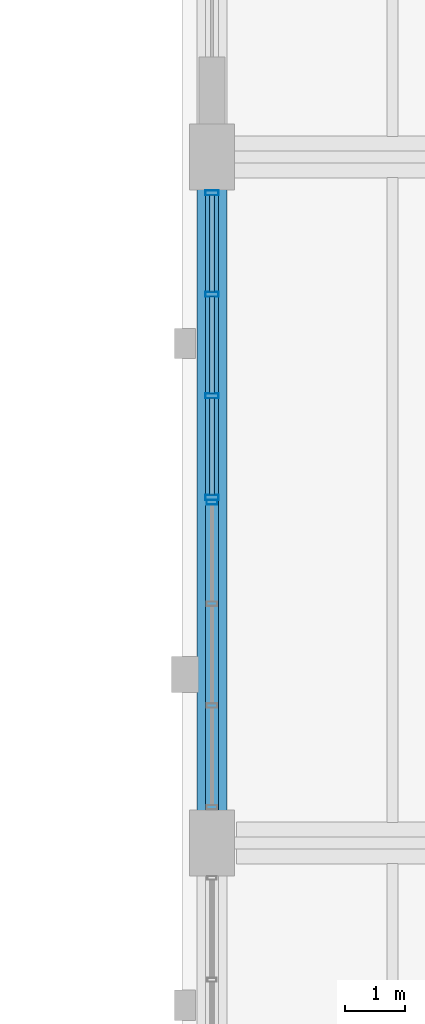
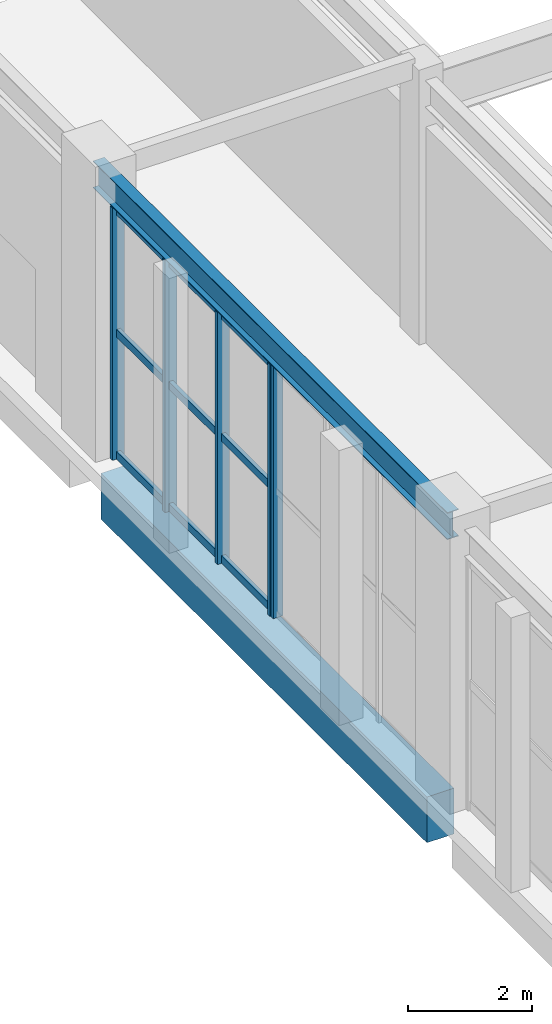
# One storey, part 55 of 113: 14 members, 2 beams, 2 elements without a shape of their own.
"""IFC4 building model written with IfcOpenShell, lengths in metres."""

from ifc_helpers import new_model, si_unit, direction, frame, origin, origin_2d, place, context, subcontext, project, spatial, rectangle, hollow_rectangle, i_section, extrude, material, layer, layer_set, material_profile, profile_set, type_object, element, aggregate, save


model = new_model("IFC4")

# Units and contexts
model_context = context("Model", 3, precision=1e-05, world=origin(), true_north=direction((0.0, 1.0)))
body_context = subcontext(model_context, "Body", "Model", "MODEL_VIEW")
ifc_project = project(units=[si_unit("LENGTHUNIT", "METRE"), si_unit("AREAUNIT", "SQUARE_METRE"), si_unit("VOLUMEUNIT", "CUBIC_METRE"), si_unit("PLANEANGLEUNIT", "RADIAN"), si_unit("MASSUNIT", "GRAM", prefix="KILO"), si_unit("POWERUNIT", "WATT"), si_unit("THERMODYNAMICTEMPERATUREUNIT", "KELVIN")], contexts=[model_context])

# Site, building, storey
site_placement = place(None, origin())
site = spatial("IfcSite", under=ifc_project, at=site_placement, CompositionType="ELEMENT")
building_placement = place(site_placement, origin())
building = spatial("IfcBuilding", under=site, at=building_placement, Name="Kelmbourne Parkland Aquatics Centre", CompositionType="ELEMENT")
storey_placement = place(building_placement, origin())
storey = spatial("IfcBuildingStorey", under=building, at=storey_placement, Name="L00", CompositionType="ELEMENT", Elevation=0.0)

# Beams
ifc_material_1 = material(Name="Concrete C40/50", Category="concrete")
ifc_material_profile_1 = material_profile(ifc_material_1, rectangle(XDim=0.5, YDim=0.89990234375, at=origin_2d()), Name="RC 500x900")
ifc_profile_set_1 = profile_set([ifc_material_profile_1], Name="Concrete C40/50")
beam_type_1 = type_object("IfcBeamType", Name="BM-G03", PredefinedType="BEAM", material=ifc_profile_set_1)
beam_1_placement = place(storey_placement, frame((96.0, 69.60498046875, -0.72998046875), z_axis=(0.0, 1.0, 0.0), x_axis=(-1.0, 0.0, 0.0)))
element("IfcBeam", 1, at=beam_1_placement, inside=storey, type_object=beam_type_1, Name="Primary girder 10-11 Grid L (L00)", PredefinedType="BEAM", context=body_context, shape_type="SweptSolid", body=[
    extrude(rectangle(XDim=0.5, YDim=0.89990234375, at=origin_2d()), origin(), (0.0, 0.0, 1.0), 10.489990234375),
])
ifc_material_2 = material(Name="Structural steel AS/NZS 3679.1 Grade 300", Category="steel")
ifc_material_profile_2 = material_profile(ifc_material_2, i_section(OverallWidth=0.208984375, OverallDepth=0.532958984375, WebThickness=0.01025390625, FlangeThickness=0.015625, at=origin_2d()), Name="530UB92.4")
ifc_profile_set_2 = profile_set([ifc_material_profile_2], Name="Structural steel AS/NZS 3679.1 Grade 300")
beam_type_2 = type_object("IfcBeamType", Name="BM-SP02", PredefinedType="SPANDREL", material=ifc_profile_set_2)
beam_2_placement = place(storey_placement, frame((96.0, 69.199951171875, 5.2333984375), z_axis=(0.0, 1.0, 0.0), x_axis=(-1.0, 0.0, 0.0)))
element("IfcBeam", 2, at=beam_2_placement, inside=storey, type_object=beam_type_2, Name="Perimeter spandrel 10-11 Grid L (L01_COL)", PredefinedType="SPANDREL", context=body_context, shape_type="SweptSolid", body=[
    extrude(i_section(OverallWidth=0.208984375, OverallDepth=0.532958984375, WebThickness=0.01025390625, FlangeThickness=0.015625, at=origin_2d()), origin(), (0.0, 0.0, 1.0), 11.400146484375),
])

# Curtain wall, member
ifc_material_3 = material(Name="Thermally broken anodised aluminium framing", Category="aluminium")
ifc_layer_1 = layer(ifc_material_3, 0.179931640625)
ifc_layer_set_1 = layer_set([ifc_layer_1], Name="Thermally broken anodised aluminium framing")
curtain_wall_type_1 = type_object("IfcCurtainWallType", Name="CW-18", PredefinedType="NOTDEFINED", material=ifc_layer_set_1)
curtain_wall_1_placement = place(storey_placement, origin())
curtain_wall_1 = element("IfcCurtainWall", 3, at=curtain_wall_1_placement, inside=storey, type_object=curtain_wall_type_1, Name="Facade curtain wall CW-L00-186", PredefinedType="NOTDEFINED")
ifc_material_profile_3 = material_profile(ifc_material_3, hollow_rectangle(XDim=0.074951171875, YDim=0.179931640625, WallThickness=0.00439453125, at=origin_2d()), Name="CW-M 75x180")
ifc_profile_set_3 = profile_set([ifc_material_profile_3], Name="Thermally broken anodised aluminium framing")
member_type_1 = type_object("IfcMemberType", Name="MB-MUL-2", PredefinedType="MULLION", material=ifc_profile_set_3)
member_1_placement = place(storey_placement, frame((96.0, 74.862548828125, 0.0), z_axis=(0.0, 0.0, 1.0), x_axis=(0.0, 1.0, 0.0)))
member_1 = element("IfcMember", 4, at=member_1_placement, type_object=member_type_1, Name="CW-L00-186 mullion 3", PredefinedType="MULLION", context=body_context, shape_type="SweptSolid", body=[
    extrude(hollow_rectangle(XDim=0.074951171875, YDim=0.179931640625, WallThickness=0.00439453125, at=origin_2d()), origin(), (0.0, 0.0, 1.0), 4.951904296875),
])
aggregate(curtain_wall_1, [member_1])

# Curtain wall, members
ifc_layer_2 = layer(ifc_material_3, 0.179931640625)
ifc_layer_set_2 = layer_set([ifc_layer_2], Name="Thermally broken anodised aluminium framing")
curtain_wall_type_2 = type_object("IfcCurtainWallType", Name="CW-19", PredefinedType="NOTDEFINED", material=ifc_layer_set_2)
curtain_wall_2_placement = place(storey_placement, origin())
curtain_wall_2 = element("IfcCurtainWall", 5, at=curtain_wall_2_placement, inside=storey, type_object=curtain_wall_type_2, Name="Facade curtain wall CW-L00-187", PredefinedType="NOTDEFINED")
ifc_material_profile_4 = material_profile(ifc_material_3, hollow_rectangle(XDim=0.0849609375, YDim=0.219970703125, WallThickness=0.0048828125, at=origin_2d()), Name="CW-M 85x220")
ifc_profile_set_4 = profile_set([ifc_material_profile_4], Name="Thermally broken anodised aluminium framing")
member_type_2 = type_object("IfcMemberType", Name="MB-MUL-3", PredefinedType="MULLION", material=ifc_profile_set_4)
member_2_placement = place(storey_placement, frame((96.0, 74.9423828125, 0.0), z_axis=(0.0, 0.0, 1.0), x_axis=(0.0, 1.0, 0.0)))
member_2 = element("IfcMember", 6, at=member_2_placement, type_object=member_type_2, Name="CW-L00-187 mullion 0", PredefinedType="MULLION", context=body_context, shape_type="SweptSolid", body=[
    extrude(hollow_rectangle(XDim=0.0849609375, YDim=0.219970703125, WallThickness=0.0048828125, at=origin_2d()), origin(), (0.0, 0.0, 1.0), 4.951904296875),
])
member_3_placement = place(storey_placement, frame((96.0, 76.630126953125, 0.0), z_axis=(0.0, 0.0, 1.0), x_axis=(0.0, 1.0, 0.0)))
member_3 = element("IfcMember", 7, at=member_3_placement, type_object=member_type_2, Name="CW-L00-187 mullion 1", PredefinedType="MULLION", context=body_context, shape_type="SweptSolid", body=[
    extrude(hollow_rectangle(XDim=0.0849609375, YDim=0.219970703125, WallThickness=0.0048828125, at=origin_2d()), origin(), (0.0, 0.0, 1.0), 4.951904296875),
])
member_4_placement = place(storey_placement, frame((96.0, 78.31787109375, 0.0), z_axis=(0.0, 0.0, 1.0), x_axis=(0.0, 1.0, 0.0)))
member_4 = element("IfcMember", 8, at=member_4_placement, type_object=member_type_2, Name="CW-L00-187 mullion 2", PredefinedType="MULLION", context=body_context, shape_type="SweptSolid", body=[
    extrude(hollow_rectangle(XDim=0.0849609375, YDim=0.219970703125, WallThickness=0.0048828125, at=origin_2d()), origin(), (0.0, 0.0, 1.0), 4.951904296875),
])
member_5_placement = place(storey_placement, frame((96.0, 80.005615234375, 0.0), z_axis=(0.0, 0.0, 1.0), x_axis=(0.0, 1.0, 0.0)))
member_5 = element("IfcMember", 9, at=member_5_placement, type_object=member_type_2, Name="CW-L00-187 mullion 3", PredefinedType="MULLION", context=body_context, shape_type="SweptSolid", body=[
    extrude(hollow_rectangle(XDim=0.0849609375, YDim=0.219970703125, WallThickness=0.0048828125, at=origin_2d()), origin(), (0.0, 0.0, 1.0), 4.951904296875),
])
ifc_material_profile_5 = material_profile(ifc_material_3, hollow_rectangle(XDim=0.074951171875, YDim=0.14990234375, WallThickness=0.00390625, at=origin_2d()), Name="CW-T 75x150")
ifc_profile_set_5 = profile_set([ifc_material_profile_5], Name="Thermally broken anodised aluminium framing")
member_type_3 = type_object("IfcMemberType", Name="MB-TRN-2", PredefinedType="USERDEFINED", material=ifc_profile_set_5)
member_6_placement = place(storey_placement, frame((96.0, 74.98095703125, 0.077880859375), z_axis=(0.0, 1.0, 0.0), x_axis=(-1.0, 0.0, 0.0)))
member_6 = element("IfcMember", 10, at=member_6_placement, type_object=member_type_3, Name="CW-L00-187 transom 0-0", ObjectType="TRANSOM", PredefinedType="USERDEFINED", context=body_context, shape_type="SweptSolid", body=[
    extrude(hollow_rectangle(XDim=0.074951171875, YDim=0.14990234375, WallThickness=0.00390625, at=origin_2d()), origin(), (0.0, 0.0, 1.0), 1.61083984375),
])
member_7_placement = place(storey_placement, frame((96.0, 76.668701171875, 0.077880859375), z_axis=(0.0, 1.0, 0.0), x_axis=(-1.0, 0.0, 0.0)))
member_7 = element("IfcMember", 11, at=member_7_placement, type_object=member_type_3, Name="CW-L00-187 transom 0-1", ObjectType="TRANSOM", PredefinedType="USERDEFINED", context=body_context, shape_type="SweptSolid", body=[
    extrude(hollow_rectangle(XDim=0.074951171875, YDim=0.14990234375, WallThickness=0.00390625, at=origin_2d()), origin(), (0.0, 0.0, 1.0), 1.610595703125),
])
member_8_placement = place(storey_placement, frame((96.0, 78.356201171875, 0.077880859375), z_axis=(0.0, 1.0, 0.0), x_axis=(-1.0, 0.0, 0.0)))
member_8 = element("IfcMember", 12, at=member_8_placement, type_object=member_type_3, Name="CW-L00-187 transom 0-2", ObjectType="TRANSOM", PredefinedType="USERDEFINED", context=body_context, shape_type="SweptSolid", body=[
    extrude(hollow_rectangle(XDim=0.074951171875, YDim=0.14990234375, WallThickness=0.00390625, at=origin_2d()), origin(), (0.0, 0.0, 1.0), 1.61083984375),
])
member_9_placement = place(storey_placement, frame((96.0, 74.98095703125, 2.47607421875), z_axis=(0.0, 1.0, 0.0), x_axis=(-1.0, 0.0, 0.0)))
member_9 = element("IfcMember", 13, at=member_9_placement, type_object=member_type_3, Name="CW-L00-187 transom 1-0", ObjectType="TRANSOM", PredefinedType="USERDEFINED", context=body_context, shape_type="SweptSolid", body=[
    extrude(hollow_rectangle(XDim=0.074951171875, YDim=0.14990234375, WallThickness=0.00390625, at=origin_2d()), origin(), (0.0, 0.0, 1.0), 1.61083984375),
])
member_10_placement = place(storey_placement, frame((96.0, 76.668701171875, 2.47607421875), z_axis=(0.0, 1.0, 0.0), x_axis=(-1.0, 0.0, 0.0)))
member_10 = element("IfcMember", 14, at=member_10_placement, type_object=member_type_3, Name="CW-L00-187 transom 1-1", ObjectType="TRANSOM", PredefinedType="USERDEFINED", context=body_context, shape_type="SweptSolid", body=[
    extrude(hollow_rectangle(XDim=0.074951171875, YDim=0.14990234375, WallThickness=0.00390625, at=origin_2d()), origin(), (0.0, 0.0, 1.0), 1.610595703125),
])
member_11_placement = place(storey_placement, frame((96.0, 78.356201171875, 2.47607421875), z_axis=(0.0, 1.0, 0.0), x_axis=(-1.0, 0.0, 0.0)))
member_11 = element("IfcMember", 15, at=member_11_placement, type_object=member_type_3, Name="CW-L00-187 transom 1-2", ObjectType="TRANSOM", PredefinedType="USERDEFINED", context=body_context, shape_type="SweptSolid", body=[
    extrude(hollow_rectangle(XDim=0.074951171875, YDim=0.14990234375, WallThickness=0.00390625, at=origin_2d()), origin(), (0.0, 0.0, 1.0), 1.61083984375),
])
member_12_placement = place(storey_placement, frame((96.0, 74.98095703125, 4.8740234375), z_axis=(0.0, 1.0, 0.0), x_axis=(-1.0, 0.0, 0.0)))
member_12 = element("IfcMember", 16, at=member_12_placement, type_object=member_type_3, Name="CW-L00-187 transom 2-0", ObjectType="TRANSOM", PredefinedType="USERDEFINED", context=body_context, shape_type="SweptSolid", body=[
    extrude(hollow_rectangle(XDim=0.074951171875, YDim=0.14990234375, WallThickness=0.00390625, at=origin_2d()), origin(), (0.0, 0.0, 1.0), 1.61083984375),
])
member_13_placement = place(storey_placement, frame((96.0, 76.668701171875, 4.8740234375), z_axis=(0.0, 1.0, 0.0), x_axis=(-1.0, 0.0, 0.0)))
member_13 = element("IfcMember", 17, at=member_13_placement, type_object=member_type_3, Name="CW-L00-187 transom 2-1", ObjectType="TRANSOM", PredefinedType="USERDEFINED", context=body_context, shape_type="SweptSolid", body=[
    extrude(hollow_rectangle(XDim=0.074951171875, YDim=0.14990234375, WallThickness=0.00390625, at=origin_2d()), origin(), (0.0, 0.0, 1.0), 1.610595703125),
])
member_14_placement = place(storey_placement, frame((96.0, 78.356201171875, 4.8740234375), z_axis=(0.0, 1.0, 0.0), x_axis=(-1.0, 0.0, 0.0)))
member_14 = element("IfcMember", 18, at=member_14_placement, type_object=member_type_3, Name="CW-L00-187 transom 2-2", ObjectType="TRANSOM", PredefinedType="USERDEFINED", context=body_context, shape_type="SweptSolid", body=[
    extrude(hollow_rectangle(XDim=0.074951171875, YDim=0.14990234375, WallThickness=0.00390625, at=origin_2d()), origin(), (0.0, 0.0, 1.0), 1.61083984375),
])
aggregate(curtain_wall_2, [member_2, member_3, member_4, member_5, member_6, member_7, member_8, member_9, member_10, member_11, member_12, member_13, member_14])

save(model, "model.ifc")
